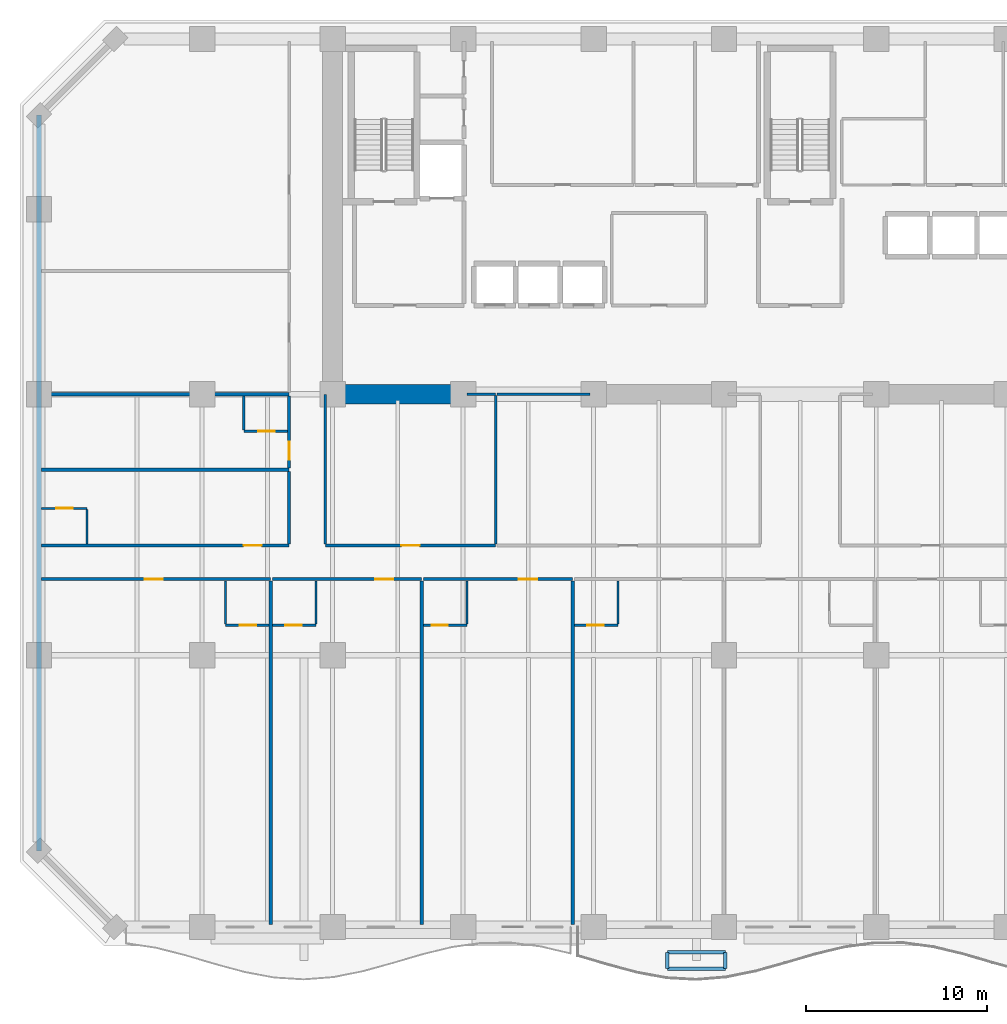
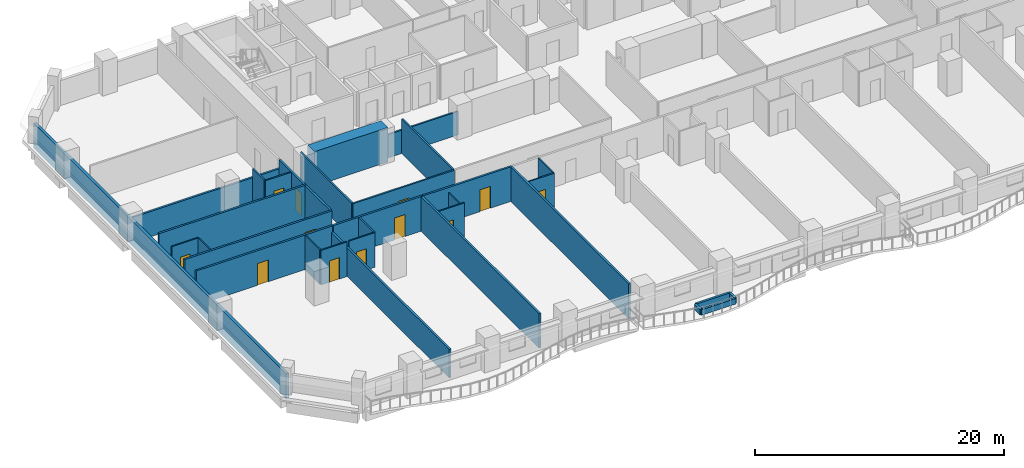
# One storey, part 3 of 14: 34 walls, 12 doors, 12 openings.
"""IFC4 building model written with IfcOpenShell, lengths in metres."""

from ifc_helpers import new_model, si_unit, direction, frame, frame_2d, origin, place, context, subcontext, project, spatial, rectangle, extrude, material, layer, layer_set, type_object, element, fill, save


model = new_model("IFC4")

# Units and contexts
model_context = context("Model", 3, precision=1e-05, world=origin(), true_north=direction((0.0, 1.0)))
body_context = subcontext(model_context, "Body", "Model", "MODEL_VIEW")
ifc_project = project(units=[si_unit("LENGTHUNIT", "METRE"), si_unit("AREAUNIT", "SQUARE_METRE"), si_unit("VOLUMEUNIT", "CUBIC_METRE"), si_unit("PLANEANGLEUNIT", "RADIAN"), si_unit("MASSUNIT", "GRAM", prefix="KILO")], contexts=[model_context])

# Site, building, storey
site_placement = place(None, origin())
site = spatial("IfcSite", under=ifc_project, at=site_placement, CompositionType="ELEMENT")
building_placement = place(site_placement, origin())
building = spatial("IfcBuilding", under=site, at=building_placement, Name="Kaelvorn Grand Hotel", CompositionType="ELEMENT")
storey_placement = place(building_placement, frame((0.0, 0.0, 76.39990234375)))
storey = spatial("IfcBuildingStorey", under=building, at=storey_placement, Name="L17", CompositionType="ELEMENT", Elevation=76.39990234375)

# Walls
ifc_material_1 = material(Name="Concrete C80/95", Category="concrete")
ifc_layer_1 = layer(ifc_material_1, 1.10009765625)
ifc_layer_set_1 = layer_set([ifc_layer_1], Name="Concrete C80/95")
wall_type_1 = type_object("IfcWallType", Name="WL-CORE-1100-C80", PredefinedType="SHEAR", material=ifc_layer_set_1)
wall_1_placement = place(storey_placement, frame((16.7548828125, 29.39990234375, 0.0), z_axis=(0.0, 0.0, 1.0), x_axis=(1.0, 0.0, 0.0)))
element("IfcWall", 1, at=wall_1_placement, inside=storey, type_object=wall_type_1, Name="L17 Rear-Core Coupled Shear Pier S1", PredefinedType="SHEAR", context=body_context, shape_type="SweptSolid", body=[
    extrude(rectangle(XDim=6.84521484375, YDim=1.10009765625, at=frame_2d((3.422607421875, 0.0))), origin(), (0.0, 0.0, 1.0), 3.400146484375),
])
ifc_material_2 = material(Name="Concrete C40/50", Category="concrete")
ifc_layer_2 = layer(ifc_material_2, 0.260009765625)
ifc_layer_set_2 = layer_set([ifc_layer_2], Name="Concrete C40/50")
wall_type_2 = type_object("IfcWallType", Name="WL-EXT-260-C40", PredefinedType="SOLIDWALL", material=ifc_layer_set_2)
wall_2_placement = place(storey_placement, frame((0.0, 44.800048828125, 0.0), z_axis=(0.0, 0.0, 1.0), x_axis=(0.0, -1.0, 0.0)))
element("IfcWall", 2, at=wall_2_placement, inside=storey, type_object=wall_type_2, Name="L17 Exterior Architectural Concrete Wall 07", PredefinedType="SOLIDWALL", context=body_context, shape_type="SweptSolid", body=[
    extrude(rectangle(XDim=40.60009765625, YDim=0.260009765625, at=frame_2d((20.300048828125, 0.0))), origin(), (0.0, 0.0, 1.0), 2.4501953125),
])

# Wall, opening, door
ifc_material_3 = material(Name="Moisture-Resistant Tile & Stud Board")
ifc_layer_3 = layer(ifc_material_3, 0.125)
ifc_layer_set_3 = layer_set([ifc_layer_3], Name="Moisture-Resistant Tile & Stud Board")
wall_type_3 = type_object("IfcWallType", Name="WL-PART-125-WET", PredefinedType="PARTITIONING", material=ifc_layer_set_3)
wall_3_placement = place(storey_placement, frame((10.283203125, 16.64990234375, 0.0), z_axis=(0.0, 0.0, 1.0), x_axis=(1.0, 0.0, 0.0)))
wall_3 = element("IfcWall", 3, at=wall_3_placement, inside=storey, type_object=wall_type_3, Name="L17 En-suite Bathroom L17-01 S Partition", PredefinedType="PARTITIONING", context=body_context, shape_type="SweptSolid", body=[
    extrude(rectangle(XDim=2.405029296875, YDim=0.125, at=frame_2d((1.20263671875, 0.0))), origin(), (0.0, 0.0, 1.0), 3.400146484375),
])
opening_1_placement = place(wall_3_placement, frame((0.800048828125, 0.0, 0.0)))
opening_1 = element("IfcOpeningElement", 4, at=opening_1_placement, cuts=wall_3, Name="Opening DI4", PredefinedType="OPENING", context=body_context, shape_type="SweptSolid", body=[
    extrude(rectangle(XDim=0.89990234375, YDim=2.10009765625, at=frame_2d((0.449951171875, 1.050048828125))), frame((0.0, 0.072509765625, 0.0), z_axis=(0.0, -1.0, 0.0), x_axis=(1.0, 0.0, 0.0)), (0.0, 0.0, 1.0), 0.14501953125),
])
ifc_material_4 = material(Name="Timber Veneer Leaf", Category="wood")
door_type_1 = type_object("IfcDoorType", Name="DR-INT-BATH-900x2100", OperationType="NOTDEFINED", PredefinedType="DOOR", material=ifc_material_4)
door_1_placement = place(opening_1_placement, origin())
door_1 = element("IfcDoor", 5, at=door_1_placement, inside=storey, type_object=door_type_1, Name="L17 En-suite Bathroom L17-01 Door", OperationType="SINGLE_SWING_RIGHT", OverallHeight=2.10009765625, OverallWidth=0.89990234375, PredefinedType="DOOR", context=body_context, shape_type="SweptSolid", body=[
    extrude(rectangle(XDim=0.89990234375, YDim=2.10009765625, at=frame_2d((0.449951171875, 1.050048828125))), frame((0.0, 0.02490234375, 0.0), z_axis=(0.0, -1.0, 0.0), x_axis=(1.0, 0.0, 0.0)), (0.0, 0.0, 1.0), 0.050048828125),
])
fill(opening_1, door_1)

# Wall
wall_4_placement = place(storey_placement, frame((10.283203125, 16.717529296875, 0.0), z_axis=(0.0, 0.0, 1.0), x_axis=(0.0, 1.0, 0.0)))
element("IfcWall", 6, at=wall_4_placement, inside=storey, type_object=wall_type_3, Name="L17 En-suite Bathroom L17-01 W Partition", PredefinedType="PARTITIONING", context=body_context, shape_type="SweptSolid", body=[
    extrude(rectangle(XDim=2.387451171875, YDim=0.125, at=frame_2d((1.19384765625, 0.0))), origin(), (0.0, 0.0, 1.0), 3.400146484375),
])

# Wall, opening, door
wall_5_placement = place(storey_placement, frame((12.87841796875, 16.64990234375, 0.0), z_axis=(0.0, 0.0, 1.0), x_axis=(1.0, 0.0, 0.0)))
wall_5 = element("IfcWall", 7, at=wall_5_placement, inside=storey, type_object=wall_type_3, Name="L17 En-suite Bathroom L17-02 S Partition", PredefinedType="PARTITIONING", context=body_context, shape_type="SweptSolid", body=[
    extrude(rectangle(XDim=2.40478515625, YDim=0.125, at=frame_2d((1.202392578125, 0.0))), origin(), (0.0, 0.0, 1.0), 3.400146484375),
])
opening_2_placement = place(wall_5_placement, frame((0.705078125, 0.0, 0.0)))
opening_2 = element("IfcOpeningElement", 8, at=opening_2_placement, cuts=wall_5, Name="Opening DI4", PredefinedType="OPENING", context=body_context, shape_type="SweptSolid", body=[
    extrude(rectangle(XDim=0.89990234375, YDim=2.10009765625, at=frame_2d((0.449951171875, 1.050048828125))), frame((0.0, 0.072509765625, 0.0), z_axis=(0.0, -1.0, 0.0), x_axis=(1.0, 0.0, 0.0)), (0.0, 0.0, 1.0), 0.14501953125),
])
door_2_placement = place(opening_2_placement, origin())
door_2 = element("IfcDoor", 9, at=door_2_placement, inside=storey, type_object=door_type_1, Name="L17 En-suite Bathroom L17-02 Door", OperationType="SINGLE_SWING_RIGHT", OverallHeight=2.10009765625, OverallWidth=0.89990234375, PredefinedType="DOOR", context=body_context, shape_type="SweptSolid", body=[
    extrude(rectangle(XDim=0.89990234375, YDim=2.10009765625, at=frame_2d((0.449951171875, 1.050048828125))), frame((0.0, 0.02490234375, 0.0), z_axis=(0.0, -1.0, 0.0), x_axis=(1.0, 0.0, 0.0)), (0.0, 0.0, 1.0), 0.050048828125),
])
fill(opening_2, door_2)

# Wall
wall_6_placement = place(storey_placement, frame((15.283203125, 16.717529296875, 0.0), z_axis=(0.0, 0.0, 1.0), x_axis=(0.0, 1.0, 0.0)))
element("IfcWall", 10, at=wall_6_placement, inside=storey, type_object=wall_type_3, Name="L17 En-suite Bathroom L17-02 E Partition", PredefinedType="PARTITIONING", context=body_context, shape_type="SweptSolid", body=[
    extrude(rectangle(XDim=2.387451171875, YDim=0.125, at=frame_2d((1.19384765625, 0.0))), origin(), (0.0, 0.0, 1.0), 3.400146484375),
])

# Wall, opening, door
wall_7_placement = place(storey_placement, frame((21.211669921875, 16.64990234375, 0.0), z_axis=(0.0, 0.0, 1.0), x_axis=(1.0, 0.0, 0.0)))
wall_7 = element("IfcWall", 11, at=wall_7_placement, inside=storey, type_object=wall_type_3, Name="L17 En-suite Bathroom L17-03 S Partition", PredefinedType="PARTITIONING", context=body_context, shape_type="SweptSolid", body=[
    extrude(rectangle(XDim=2.405029296875, YDim=0.125, at=frame_2d((1.20263671875, 0.0))), origin(), (0.0, 0.0, 1.0), 3.400146484375),
])
opening_3_placement = place(wall_7_placement, frame((0.455078125, 0.0, 0.0)))
opening_3 = element("IfcOpeningElement", 12, at=opening_3_placement, cuts=wall_7, Name="Opening DI4", PredefinedType="OPENING", context=body_context, shape_type="SweptSolid", body=[
    extrude(rectangle(XDim=0.89990234375, YDim=2.10009765625, at=frame_2d((0.449951171875, 1.050048828125))), frame((0.0, 0.072509765625, 0.0), z_axis=(0.0, -1.0, 0.0), x_axis=(1.0, 0.0, 0.0)), (0.0, 0.0, 1.0), 0.14501953125),
])
door_3_placement = place(opening_3_placement, origin())
door_3 = element("IfcDoor", 13, at=door_3_placement, inside=storey, type_object=door_type_1, Name="L17 En-suite Bathroom L17-03 Door", OperationType="SINGLE_SWING_RIGHT", OverallHeight=2.10009765625, OverallWidth=0.89990234375, PredefinedType="DOOR", context=body_context, shape_type="SweptSolid", body=[
    extrude(rectangle(XDim=0.89990234375, YDim=2.10009765625, at=frame_2d((0.449951171875, 1.050048828125))), frame((0.0, 0.02490234375, 0.0), z_axis=(0.0, -1.0, 0.0), x_axis=(1.0, 0.0, 0.0)), (0.0, 0.0, 1.0), 0.050048828125),
])
fill(opening_3, door_3)

# Wall
wall_8_placement = place(storey_placement, frame((23.61669921875, 16.717529296875, 0.0), z_axis=(0.0, 0.0, 1.0), x_axis=(0.0, 1.0, 0.0)))
element("IfcWall", 14, at=wall_8_placement, inside=storey, type_object=wall_type_3, Name="L17 En-suite Bathroom L17-03 E Partition", PredefinedType="PARTITIONING", context=body_context, shape_type="SweptSolid", body=[
    extrude(rectangle(XDim=2.387451171875, YDim=0.125, at=frame_2d((1.19384765625, 0.0))), origin(), (0.0, 0.0, 1.0), 2.900146484375),
])

# Wall, opening, door
wall_9_placement = place(storey_placement, frame((29.544921875, 16.64990234375, 0.0), z_axis=(0.0, 0.0, 1.0), x_axis=(1.0, 0.0, 0.0)))
wall_9 = element("IfcWall", 15, at=wall_9_placement, inside=storey, type_object=wall_type_3, Name="L17 En-suite Bathroom L17-04 S Partition", PredefinedType="PARTITIONING", context=body_context, shape_type="SweptSolid", body=[
    extrude(rectangle(XDim=2.405029296875, YDim=0.125, at=frame_2d((1.20263671875, 0.0))), origin(), (0.0, 0.0, 1.0), 3.400146484375),
])
opening_4_placement = place(wall_9_placement, frame((0.705078125, 0.0, 0.0)))
opening_4 = element("IfcOpeningElement", 16, at=opening_4_placement, cuts=wall_9, Name="Opening DI4", PredefinedType="OPENING", context=body_context, shape_type="SweptSolid", body=[
    extrude(rectangle(XDim=0.89990234375, YDim=2.10009765625, at=frame_2d((0.449951171875, 1.050048828125))), frame((0.0, 0.072509765625, 0.0), z_axis=(0.0, -1.0, 0.0), x_axis=(1.0, 0.0, 0.0)), (0.0, 0.0, 1.0), 0.14501953125),
])
door_4_placement = place(opening_4_placement, origin())
door_4 = element("IfcDoor", 17, at=door_4_placement, inside=storey, type_object=door_type_1, Name="L17 En-suite Bathroom L17-04 Door", OperationType="SINGLE_SWING_RIGHT", OverallHeight=2.10009765625, OverallWidth=0.89990234375, PredefinedType="DOOR", context=body_context, shape_type="SweptSolid", body=[
    extrude(rectangle(XDim=0.89990234375, YDim=2.10009765625, at=frame_2d((0.449951171875, 1.050048828125))), frame((0.0, 0.02490234375, 0.0), z_axis=(0.0, -1.0, 0.0), x_axis=(1.0, 0.0, 0.0)), (0.0, 0.0, 1.0), 0.050048828125),
])
fill(opening_4, door_4)

# Wall
wall_10_placement = place(storey_placement, frame((31.949951171875, 16.717529296875, 0.0), z_axis=(0.0, 0.0, 1.0), x_axis=(0.0, 1.0, 0.0)))
element("IfcWall", 18, at=wall_10_placement, inside=storey, type_object=wall_type_3, Name="L17 En-suite Bathroom L17-04 E Partition", PredefinedType="PARTITIONING", context=body_context, shape_type="SweptSolid", body=[
    extrude(rectangle(XDim=2.387451171875, YDim=0.125, at=frame_2d((1.19384765625, 0.0))), origin(), (0.0, 0.0, 1.0), 3.400146484375),
])

# Wall, opening, door
wall_11_placement = place(storey_placement, frame((0.14990234375, 23.10009765625, 0.0), z_axis=(0.0, 0.0, 1.0), x_axis=(1.0, 0.0, 0.0)))
wall_11 = element("IfcWall", 19, at=wall_11_placement, inside=storey, type_object=wall_type_3, Name="L17 En-suite Bathroom L17-10 N Partition", PredefinedType="PARTITIONING", context=body_context, shape_type="SweptSolid", body=[
    extrude(rectangle(XDim=2.5, YDim=0.125, at=frame_2d((1.25, 0.0))), origin(), (0.0, 0.0, 1.0), 3.400146484375),
])
opening_5_placement = place(wall_11_placement, frame((0.800048828125, 0.0, 0.0)))
opening_5 = element("IfcOpeningElement", 20, at=opening_5_placement, cuts=wall_11, Name="Opening DI4", PredefinedType="OPENING", context=body_context, shape_type="SweptSolid", body=[
    extrude(rectangle(XDim=0.89990234375, YDim=2.10009765625, at=frame_2d((0.449951171875, 1.050048828125))), frame((0.0, 0.072509765625, 0.0), z_axis=(0.0, -1.0, 0.0), x_axis=(1.0, 0.0, 0.0)), (0.0, 0.0, 1.0), 0.14501953125),
])
door_5_placement = place(opening_5_placement, origin())
door_5 = element("IfcDoor", 21, at=door_5_placement, inside=storey, type_object=door_type_1, Name="L17 En-suite Bathroom L17-10 Door", OperationType="SINGLE_SWING_RIGHT", OverallHeight=2.10009765625, OverallWidth=0.89990234375, PredefinedType="DOOR", context=body_context, shape_type="SweptSolid", body=[
    extrude(rectangle(XDim=0.89990234375, YDim=2.10009765625, at=frame_2d((0.449951171875, 1.050048828125))), frame((0.0, 0.02490234375, 0.0), z_axis=(0.0, -1.0, 0.0), x_axis=(1.0, 0.0, 0.0)), (0.0, 0.0, 1.0), 0.050048828125),
])
fill(opening_5, door_5)

# Wall
wall_12_placement = place(storey_placement, frame((2.64990234375, 21.14501953125, 0.0), z_axis=(0.0, 0.0, 1.0), x_axis=(0.0, 1.0, 0.0)))
element("IfcWall", 22, at=wall_12_placement, inside=storey, type_object=wall_type_3, Name="L17 En-suite Bathroom L17-10 E Partition", PredefinedType="PARTITIONING", context=body_context, shape_type="SweptSolid", body=[
    extrude(rectangle(XDim=1.887451171875, YDim=0.125, at=frame_2d((0.94384765625, 0.0))), origin(), (0.0, 0.0, 1.0), 3.400146484375),
])

# Wall, opening, door
wall_13_placement = place(storey_placement, frame((11.300048828125, 27.35009765625, 0.0), z_axis=(0.0, 0.0, 1.0), x_axis=(1.0, 0.0, 0.0)))
wall_13 = element("IfcWall", 23, at=wall_13_placement, inside=storey, type_object=wall_type_3, Name="L17 En-suite Bathroom L17-11 S Partition", PredefinedType="PARTITIONING", context=body_context, shape_type="SweptSolid", body=[
    extrude(rectangle(XDim=2.405029296875, YDim=0.125, at=frame_2d((1.20263671875, 0.0))), origin(), (0.0, 0.0, 1.0), 3.400146484375),
])
opening_6_placement = place(wall_13_placement, frame((0.800048828125, 0.0, 0.0)))
opening_6 = element("IfcOpeningElement", 24, at=opening_6_placement, cuts=wall_13, Name="Opening DI4", PredefinedType="OPENING", context=body_context, shape_type="SweptSolid", body=[
    extrude(rectangle(XDim=0.89990234375, YDim=2.10009765625, at=frame_2d((0.449951171875, 1.050048828125))), frame((0.0, 0.072509765625, 0.0), z_axis=(0.0, -1.0, 0.0), x_axis=(1.0, 0.0, 0.0)), (0.0, 0.0, 1.0), 0.14501953125),
])
door_6_placement = place(opening_6_placement, origin())
door_6 = element("IfcDoor", 25, at=door_6_placement, inside=storey, type_object=door_type_1, Name="L17 En-suite Bathroom L17-11 Door", OperationType="SINGLE_SWING_RIGHT", OverallHeight=2.10009765625, OverallWidth=0.89990234375, PredefinedType="DOOR", context=body_context, shape_type="SweptSolid", body=[
    extrude(rectangle(XDim=0.89990234375, YDim=2.10009765625, at=frame_2d((0.449951171875, 1.050048828125))), frame((0.0, 0.02490234375, 0.0), z_axis=(0.0, -1.0, 0.0), x_axis=(1.0, 0.0, 0.0)), (0.0, 0.0, 1.0), 0.050048828125),
])
fill(opening_6, door_6)

# Wall
wall_14_placement = place(storey_placement, frame((11.300048828125, 27.41748046875, 0.0), z_axis=(0.0, 0.0, 1.0), x_axis=(0.0, 1.0, 0.0)))
element("IfcWall", 26, at=wall_14_placement, inside=storey, type_object=wall_type_3, Name="L17 En-suite Bathroom L17-11 W Partition", PredefinedType="PARTITIONING", context=body_context, shape_type="SweptSolid", body=[
    extrude(rectangle(XDim=1.887451171875, YDim=0.125, at=frame_2d((0.94384765625, 0.0))), origin(), (0.0, 0.0, 1.0), 3.400146484375),
])

# Wall, opening, door
ifc_material_5 = material(Name="Acoustic Gypsum & Stud Partition")
ifc_layer_4 = layer(ifc_material_5, 0.14990234375)
ifc_layer_set_4 = layer_set([ifc_layer_4], Name="Acoustic Gypsum & Stud Partition")
wall_type_4 = type_object("IfcWallType", Name="WL-PART-150-EI60", PredefinedType="PARTITIONING", material=ifc_layer_set_4)
wall_15_placement = place(storey_placement, frame((15.800048828125, 21.050048828125, 0.0), z_axis=(0.0, 0.0, 1.0), x_axis=(1.0, 0.0, 0.0)))
wall_15 = element("IfcWall", 27, at=wall_15_placement, inside=storey, type_object=wall_type_4, Name="L17 Private Cinema Lounge S Partition", PredefinedType="PARTITIONING", context=body_context, shape_type="SweptSolid", body=[
    extrude(rectangle(XDim=9.39990234375, YDim=0.14990234375, at=frame_2d((4.699951171875, 0.0))), origin(), (0.0, 0.0, 1.0), 3.400146484375),
])
opening_7_placement = place(wall_15_placement, frame((4.199951171875, 0.0, 0.0)))
opening_7 = element("IfcOpeningElement", 28, at=opening_7_placement, cuts=wall_15, Name="Opening DI3", PredefinedType="OPENING", context=body_context, shape_type="SweptSolid", body=[
    extrude(rectangle(XDim=1.0, YDim=2.14990234375, at=frame_2d((0.5, 1.074951171875))), frame((0.0, 0.0849609375, 0.0), z_axis=(0.0, -1.0, 0.0), x_axis=(1.0, 0.0, 0.0)), (0.0, 0.0, 1.0), 0.169921875),
])
ifc_material_6 = material(Name="Timber Veneer Fire Leaf", Category="wood")
door_type_2 = type_object("IfcDoorType", Name="DR-INT-GUEST-1000x2150", OperationType="NOTDEFINED", PredefinedType="DOOR", material=ifc_material_6)
door_7_placement = place(opening_7_placement, origin())
door_7 = element("IfcDoor", 29, at=door_7_placement, inside=storey, type_object=door_type_2, Name="L17 Private Cinema Lounge Door", OperationType="SINGLE_SWING_LEFT", OverallHeight=2.14990234375, OverallWidth=1.0, PredefinedType="DOOR", context=body_context, shape_type="SweptSolid", body=[
    extrude(rectangle(XDim=1.0, YDim=2.14990234375, at=frame_2d((0.5, 1.074951171875))), frame((0.0, 0.02490234375, 0.0), z_axis=(0.0, -1.0, 0.0), x_axis=(1.0, 0.0, 0.0)), (0.0, 0.0, 1.0), 0.050048828125),
])
fill(opening_7, door_7)

# Walls
wall_16_placement = place(storey_placement, frame((23.610107421875, 29.39990234375, 0.0), z_axis=(0.0, 0.0, 1.0), x_axis=(1.0, 0.0, 0.0)))
element("IfcWall", 30, at=wall_16_placement, inside=storey, type_object=wall_type_4, Name="L17 Private Cinema Lounge N Partition", PredefinedType="PARTITIONING", context=body_context, shape_type="SweptSolid", body=[
    extrude(rectangle(XDim=1.58984375, YDim=0.14990234375, at=frame_2d((0.794921875, 0.0))), origin(), (0.0, 0.0, 1.0), 2.300048828125),
])
wall_17_placement = place(storey_placement, frame((15.800048828125, 21.1298828125, 0.0), z_axis=(0.0, 0.0, 1.0), x_axis=(0.0, 1.0, 0.0)))
element("IfcWall", 31, at=wall_17_placement, inside=storey, type_object=wall_type_4, Name="L17 Private Cinema Lounge W Partition", PredefinedType="PARTITIONING", context=body_context, shape_type="SweptSolid", body=[
    extrude(rectangle(XDim=8.260009765625, YDim=0.14990234375, at=frame_2d((4.1298828125, 0.0))), origin(), (0.0, 0.0, 1.0), 3.400146484375),
])
wall_18_placement = place(storey_placement, frame((25.199951171875, 21.1298828125, 0.0), z_axis=(0.0, 0.0, 1.0), x_axis=(0.0, 1.0, 0.0)))
element("IfcWall", 32, at=wall_18_placement, inside=storey, type_object=wall_type_4, Name="L17 Private Cinema Lounge E Partition", PredefinedType="PARTITIONING", context=body_context, shape_type="SweptSolid", body=[
    extrude(rectangle(XDim=8.190185546875, YDim=0.14990234375, at=frame_2d((4.09521484375, 0.0))), origin(), (0.0, 0.0, 1.0), 3.400146484375),
])
wall_19_placement = place(storey_placement, frame((25.280029296875, 29.39990234375, 0.0), z_axis=(0.0, 0.0, 1.0), x_axis=(1.0, 0.0, 0.0)))
element("IfcWall", 33, at=wall_19_placement, inside=storey, type_object=wall_type_4, Name="L17 Sommelier Wine Bar N Partition (1)", PredefinedType="PARTITIONING", context=body_context, shape_type="SweptSolid", body=[
    extrude(rectangle(XDim=5.10986328125, YDim=0.14990234375, at=frame_2d((2.554931640625, 0.0))), origin(), (0.0, 0.0, 1.0), 2.300048828125),
])

# Wall, opening, door
ifc_layer_5 = layer(ifc_material_5, 0.179931640625)
ifc_layer_set_5 = layer_set([ifc_layer_5], Name="Acoustic Gypsum & Stud Partition")
wall_type_5 = type_object("IfcWallType", Name="WL-PART-180-EI60", PredefinedType="PARTITIONING", material=ifc_layer_set_5)
wall_20_placement = place(storey_placement, frame((0.14990234375, 19.199951171875, 0.0), z_axis=(0.0, 0.0, 1.0), x_axis=(1.0, 0.0, 0.0)))
wall_20 = element("IfcWall", 34, at=wall_20_placement, inside=storey, type_object=wall_type_5, Name="L17 Deluxe Panoramic Suite L17-01 N Partition", PredefinedType="PARTITIONING", context=body_context, shape_type="SweptSolid", body=[
    extrude(rectangle(XDim=12.63330078125, YDim=0.179931640625, at=frame_2d((6.316650390625, 0.0))), origin(), (0.0, 0.0, 1.0), 3.400146484375),
])
opening_8_placement = place(wall_20_placement, frame((5.68505859375, 0.0, 0.0)))
opening_8 = element("IfcOpeningElement", 35, at=opening_8_placement, cuts=wall_20, Name="Opening DI3", PredefinedType="OPENING", context=body_context, shape_type="SweptSolid", body=[
    extrude(rectangle(XDim=1.0, YDim=2.14990234375, at=frame_2d((0.5, 1.074951171875))), frame((0.0, 0.10009765625, 0.0), z_axis=(0.0, -1.0, 0.0), x_axis=(1.0, 0.0, 0.0)), (0.0, 0.0, 1.0), 0.199951171875),
])
door_8_placement = place(opening_8_placement, origin())
door_8 = element("IfcDoor", 36, at=door_8_placement, inside=storey, type_object=door_type_2, Name="L17 Deluxe Panoramic Suite L17-01 Door", OperationType="SINGLE_SWING_LEFT", OverallHeight=2.14990234375, OverallWidth=1.0, PredefinedType="DOOR", context=body_context, shape_type="SweptSolid", body=[
    extrude(rectangle(XDim=1.0, YDim=2.14990234375, at=frame_2d((0.5, 1.074951171875))), frame((0.0, 0.02490234375, 0.0), z_axis=(0.0, -1.0, 0.0), x_axis=(1.0, 0.0, 0.0)), (0.0, 0.0, 1.0), 0.050048828125),
])
fill(opening_8, door_8)

# Wall
wall_21_placement = place(storey_placement, frame((12.783203125, 0.14990234375, 0.0), z_axis=(0.0, 0.0, 1.0), x_axis=(0.0, 1.0, 0.0)))
element("IfcWall", 37, at=wall_21_placement, inside=storey, type_object=wall_type_5, Name="L17 Deluxe Panoramic Suite L17-01 E Partition", PredefinedType="PARTITIONING", context=body_context, shape_type="SweptSolid", body=[
    extrude(rectangle(XDim=18.955078125, YDim=0.179931640625, at=frame_2d((9.4775390625, 0.0))), origin(), (0.0, 0.0, 1.0), 2.800048828125),
])

# Wall, opening, door
wall_22_placement = place(storey_placement, frame((12.87841796875, 19.199951171875, 0.0), z_axis=(0.0, 0.0, 1.0), x_axis=(1.0, 0.0, 0.0)))
wall_22 = element("IfcWall", 38, at=wall_22_placement, inside=storey, type_object=wall_type_5, Name="L17 Deluxe Panoramic Suite L17-02 N Partition", PredefinedType="PARTITIONING", context=body_context, shape_type="SweptSolid", body=[
    extrude(rectangle(XDim=8.23828125, YDim=0.179931640625, at=frame_2d((4.119140625, 0.0))), origin(), (0.0, 0.0, 1.0), 3.400146484375),
])
opening_9_placement = place(wall_22_placement, frame((5.669921875, 0.0, 0.0)))
opening_9 = element("IfcOpeningElement", 39, at=opening_9_placement, cuts=wall_22, Name="Opening DI3", PredefinedType="OPENING", context=body_context, shape_type="SweptSolid", body=[
    extrude(rectangle(XDim=1.0, YDim=2.14990234375, at=frame_2d((0.5, 1.074951171875))), frame((0.0, 0.10009765625, 0.0), z_axis=(0.0, -1.0, 0.0), x_axis=(1.0, 0.0, 0.0)), (0.0, 0.0, 1.0), 0.199951171875),
])
door_9_placement = place(opening_9_placement, origin())
door_9 = element("IfcDoor", 40, at=door_9_placement, inside=storey, type_object=door_type_2, Name="L17 Deluxe Panoramic Suite L17-02 Door", OperationType="SINGLE_SWING_LEFT", OverallHeight=2.14990234375, OverallWidth=1.0, PredefinedType="DOOR", context=body_context, shape_type="SweptSolid", body=[
    extrude(rectangle(XDim=1.0, YDim=2.14990234375, at=frame_2d((0.5, 1.074951171875))), frame((0.0, 0.02490234375, 0.0), z_axis=(0.0, -1.0, 0.0), x_axis=(1.0, 0.0, 0.0)), (0.0, 0.0, 1.0), 0.050048828125),
])
fill(opening_9, door_9)

# Wall
wall_23_placement = place(storey_placement, frame((21.11669921875, 0.14990234375, 0.0), z_axis=(0.0, 0.0, 1.0), x_axis=(0.0, 1.0, 0.0)))
element("IfcWall", 41, at=wall_23_placement, inside=storey, type_object=wall_type_5, Name="L17 Deluxe Panoramic Suite L17-02 E Partition", PredefinedType="PARTITIONING", context=body_context, shape_type="SweptSolid", body=[
    extrude(rectangle(XDim=18.955078125, YDim=0.179931640625, at=frame_2d((9.4775390625, 0.0))), origin(), (0.0, 0.0, 1.0), 3.400146484375),
])

# Wall, opening, door
wall_24_placement = place(storey_placement, frame((21.211669921875, 19.199951171875, 0.0), z_axis=(0.0, 0.0, 1.0), x_axis=(1.0, 0.0, 0.0)))
wall_24 = element("IfcWall", 42, at=wall_24_placement, inside=storey, type_object=wall_type_5, Name="L17 Deluxe Panoramic Suite L17-03 N Partition", PredefinedType="PARTITIONING", context=body_context, shape_type="SweptSolid", body=[
    extrude(rectangle(XDim=8.23828125, YDim=0.179931640625, at=frame_2d((4.119140625, 0.0))), origin(), (0.0, 0.0, 1.0), 3.400146484375),
])
opening_10_placement = place(wall_24_placement, frame((5.271484375, 0.0, 0.0)))
opening_10 = element("IfcOpeningElement", 43, at=opening_10_placement, cuts=wall_24, Name="Opening DI3", PredefinedType="OPENING", context=body_context, shape_type="SweptSolid", body=[
    extrude(rectangle(XDim=1.0, YDim=2.14990234375, at=frame_2d((0.5, 1.074951171875))), frame((0.0, 0.10009765625, 0.0), z_axis=(0.0, -1.0, 0.0), x_axis=(1.0, 0.0, 0.0)), (0.0, 0.0, 1.0), 0.199951171875),
])
door_10_placement = place(opening_10_placement, origin())
door_10 = element("IfcDoor", 44, at=door_10_placement, inside=storey, type_object=door_type_2, Name="L17 Deluxe Panoramic Suite L17-03 Door", OperationType="SINGLE_SWING_LEFT", OverallHeight=2.14990234375, OverallWidth=1.0, PredefinedType="DOOR", context=body_context, shape_type="SweptSolid", body=[
    extrude(rectangle(XDim=1.0, YDim=2.14990234375, at=frame_2d((0.5, 1.074951171875))), frame((0.0, 0.02490234375, 0.0), z_axis=(0.0, -1.0, 0.0), x_axis=(1.0, 0.0, 0.0)), (0.0, 0.0, 1.0), 0.050048828125),
])
fill(opening_10, door_10)

# Wall
wall_25_placement = place(storey_placement, frame((29.449951171875, 0.14990234375, 0.0), z_axis=(0.0, 0.0, 1.0), x_axis=(0.0, 1.0, 0.0)))
element("IfcWall", 45, at=wall_25_placement, inside=storey, type_object=wall_type_5, Name="L17 Deluxe Panoramic Suite L17-03 E Partition", PredefinedType="PARTITIONING", context=body_context, shape_type="SweptSolid", body=[
    extrude(rectangle(XDim=18.955078125, YDim=0.179931640625, at=frame_2d((9.4775390625, 0.0))), origin(), (0.0, 0.0, 1.0), 3.400146484375),
])

# Wall, opening, door
wall_26_placement = place(storey_placement, frame((0.14990234375, 21.050048828125, 0.0), z_axis=(0.0, 0.0, 1.0), x_axis=(1.0, 0.0, 0.0)))
wall_26 = element("IfcWall", 46, at=wall_26_placement, inside=storey, type_object=wall_type_5, Name="L17 West Wing Panoramic Suite L17-10 S Partition", PredefinedType="PARTITIONING", context=body_context, shape_type="SweptSolid", body=[
    extrude(rectangle(XDim=13.650146484375, YDim=0.179931640625, at=frame_2d((6.8251953125, 0.0))), origin(), (0.0, 0.0, 1.0), 3.400146484375),
])
opening_11_placement = place(wall_26_placement, frame((11.139892578125, 0.0, 0.0)))
opening_11 = element("IfcOpeningElement", 47, at=opening_11_placement, cuts=wall_26, Name="Opening DI3", PredefinedType="OPENING", context=body_context, shape_type="SweptSolid", body=[
    extrude(rectangle(XDim=1.0, YDim=2.14990234375, at=frame_2d((0.5, 1.074951171875))), frame((0.0, 0.10009765625, 0.0), z_axis=(0.0, -1.0, 0.0), x_axis=(1.0, 0.0, 0.0)), (0.0, 0.0, 1.0), 0.199951171875),
])
door_11_placement = place(opening_11_placement, origin())
door_11 = element("IfcDoor", 48, at=door_11_placement, inside=storey, type_object=door_type_2, Name="L17 West Wing Panoramic Suite L17-10 Door", OperationType="SINGLE_SWING_LEFT", OverallHeight=2.14990234375, OverallWidth=1.0, PredefinedType="DOOR", context=body_context, shape_type="SweptSolid", body=[
    extrude(rectangle(XDim=1.0, YDim=2.14990234375, at=frame_2d((0.5, 1.074951171875))), frame((0.0, 0.02490234375, 0.0), z_axis=(0.0, -1.0, 0.0), x_axis=(1.0, 0.0, 0.0)), (0.0, 0.0, 1.0), 0.050048828125),
])
fill(opening_11, door_11)

# Walls
wall_27_placement = place(storey_placement, frame((0.14990234375, 25.22998046875, 0.0), z_axis=(0.0, 0.0, 1.0), x_axis=(1.0, 0.0, 0.0)))
element("IfcWall", 49, at=wall_27_placement, inside=storey, type_object=wall_type_5, Name="L17 West Wing Panoramic Suite L17-10 N Partition", PredefinedType="PARTITIONING", context=body_context, shape_type="SweptSolid", body=[
    extrude(rectangle(XDim=13.650146484375, YDim=0.179931640625, at=frame_2d((6.8251953125, 0.0))), origin(), (0.0, 0.0, 1.0), 3.400146484375),
])
wall_28_placement = place(storey_placement, frame((13.800048828125, 21.14501953125, 0.0), z_axis=(0.0, 0.0, 1.0), x_axis=(0.0, 1.0, 0.0)))
element("IfcWall", 50, at=wall_28_placement, inside=storey, type_object=wall_type_5, Name="L17 West Wing Panoramic Suite L17-10 E Partition", PredefinedType="PARTITIONING", context=body_context, shape_type="SweptSolid", body=[
    extrude(rectangle(XDim=3.989990234375, YDim=0.179931640625, at=frame_2d((1.9951171875, 0.0))), origin(), (0.0, 0.0, 1.0), 3.400146484375),
])
wall_29_placement = place(storey_placement, frame((0.14990234375, 29.39990234375, 0.0), z_axis=(0.0, 0.0, 1.0), x_axis=(1.0, 0.0, 0.0)))
element("IfcWall", 51, at=wall_29_placement, inside=storey, type_object=wall_type_5, Name="L17 West Mid-Wing Suite L17-11 N Partition", PredefinedType="PARTITIONING", context=body_context, shape_type="SweptSolid", body=[
    extrude(rectangle(XDim=13.650146484375, YDim=0.179931640625, at=frame_2d((6.8251953125, 0.0))), origin(), (0.0, 0.0, 1.0), 2.489990234375),
])

# Wall, opening, door
wall_30_placement = place(storey_placement, frame((13.800048828125, 25.324951171875, 0.0), z_axis=(0.0, 0.0, 1.0), x_axis=(0.0, 1.0, 0.0)))
wall_30 = element("IfcWall", 52, at=wall_30_placement, inside=storey, type_object=wall_type_5, Name="L17 West Mid-Wing Suite L17-11 E Partition", PredefinedType="PARTITIONING", context=body_context, shape_type="SweptSolid", body=[
    extrude(rectangle(XDim=3.97998046875, YDim=0.179931640625, at=frame_2d((1.989990234375, 0.0))), origin(), (0.0, 0.0, 1.0), 3.400146484375),
])
opening_12_placement = place(wall_30_placement, frame((0.465087890625, 0.0, 0.0)))
opening_12 = element("IfcOpeningElement", 53, at=opening_12_placement, cuts=wall_30, Name="Opening DI3", PredefinedType="OPENING", context=body_context, shape_type="SweptSolid", body=[
    extrude(rectangle(XDim=1.0, YDim=2.14990234375, at=frame_2d((0.5, 1.074951171875))), frame((0.0, 0.10009765625, 0.0), z_axis=(0.0, -1.0, 0.0), x_axis=(1.0, 0.0, 0.0)), (0.0, 0.0, 1.0), 0.199951171875),
])
door_12_placement = place(opening_12_placement, origin())
door_12 = element("IfcDoor", 54, at=door_12_placement, inside=storey, type_object=door_type_2, Name="L17 West Mid-Wing Suite L17-11 Door", OperationType="SINGLE_SWING_LEFT", OverallHeight=2.14990234375, OverallWidth=1.0, PredefinedType="DOOR", context=body_context, shape_type="SweptSolid", body=[
    extrude(rectangle(XDim=1.0, YDim=2.14990234375, at=frame_2d((0.5, 1.074951171875))), frame((0.0, 0.02490234375, 0.0), z_axis=(0.0, -1.0, 0.0), x_axis=(1.0, 0.0, 0.0)), (0.0, 0.0, 1.0), 0.050048828125),
])
fill(opening_12, door_12)

# Walls
ifc_layer_6 = layer(ifc_material_2, 0.199951171875)
ifc_layer_set_6 = layer_set([ifc_layer_6], Name="Concrete C40/50")
wall_type_6 = type_object("IfcWallType", Name="WL-TREE-PLANTER-200", PredefinedType="PARAPET", material=ifc_layer_set_6)
wall_31_placement = place(storey_placement, frame((34.675537109375, -2.300048828125, 0.0), z_axis=(0.0, 0.0, 1.0), x_axis=(1.0, 0.0, 0.0)))
element("IfcWall", 55, at=wall_31_placement, inside=storey, type_object=wall_type_6, Name="L17 Planted Balcony Structural TREE PLANTER Kerb 1-S", PredefinedType="PARAPET", context=body_context, shape_type="SweptSolid", body=[
    extrude(rectangle(XDim=3.199951171875, YDim=0.199951171875, at=frame_2d((1.60009765625, 0.0))), origin(), (0.0, 0.0, 1.0), 0.550048828125),
])
wall_32_placement = place(storey_placement, frame((37.87548828125, -2.300048828125, 0.0), z_axis=(0.0, 0.0, 1.0), x_axis=(0.0, 1.0, 0.0)))
element("IfcWall", 56, at=wall_32_placement, inside=storey, type_object=wall_type_6, Name="L17 Planted Balcony Structural TREE PLANTER Kerb 1-E", PredefinedType="PARAPET", context=body_context, shape_type="SweptSolid", body=[
    extrude(rectangle(XDim=0.900146484375, YDim=0.199951171875, at=frame_2d((0.4501953125, 0.0))), origin(), (0.0, 0.0, 1.0), 0.550048828125),
])
wall_33_placement = place(storey_placement, frame((37.87548828125, -1.39990234375, 0.0), z_axis=(0.0, 0.0, 1.0), x_axis=(-1.0, 0.0, 0.0)))
element("IfcWall", 57, at=wall_33_placement, inside=storey, type_object=wall_type_6, Name="L17 Planted Balcony Structural TREE PLANTER Kerb 1-N", PredefinedType="PARAPET", context=body_context, shape_type="SweptSolid", body=[
    extrude(rectangle(XDim=3.199951171875, YDim=0.199951171875, at=frame_2d((1.60009765625, 0.0))), origin(), (0.0, 0.0, 1.0), 0.550048828125),
])
wall_34_placement = place(storey_placement, frame((34.675537109375, -1.39990234375, 0.0), z_axis=(0.0, 0.0, 1.0), x_axis=(0.0, -1.0, 0.0)))
element("IfcWall", 58, at=wall_34_placement, inside=storey, type_object=wall_type_6, Name="L17 Planted Balcony Structural TREE PLANTER Kerb 1-W", PredefinedType="PARAPET", context=body_context, shape_type="SweptSolid", body=[
    extrude(rectangle(XDim=0.900146484375, YDim=0.199951171875, at=frame_2d((0.4501953125, 0.0))), origin(), (0.0, 0.0, 1.0), 0.550048828125),
])

save(model, "model.ifc")
